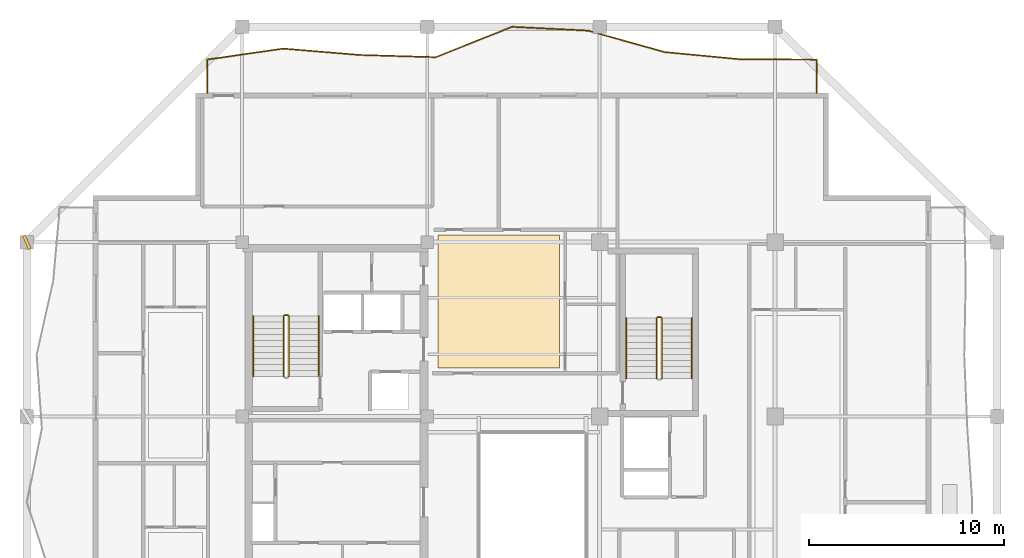
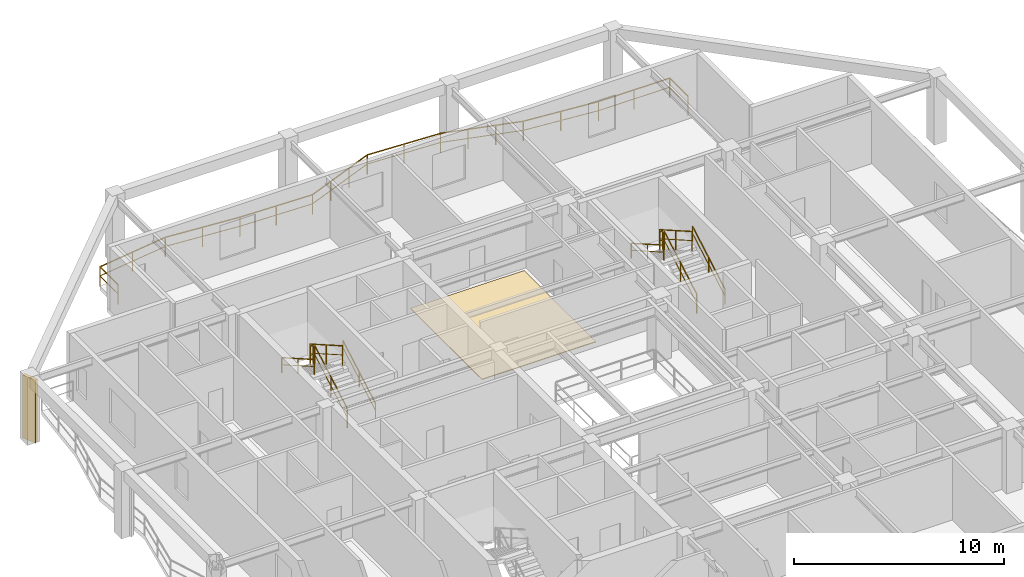
# One storey, part 10 of 11: 11 railings, 1 covering, 1 shading device.
"""IFC4 building model written with IfcOpenShell, lengths in metres."""

from ifc_helpers import new_model, si_unit, direction, frame, origin, origin_2d, place, context, subcontext, project, spatial, polyline, rectangle, outline, extrude, material, layer, layer_set, type_object, element, save


model = new_model("IFC4")

# Units and contexts
model_context = context("Model", 3, precision=1e-05, world=origin(), true_north=direction((0.0, 1.0)))
body_context = subcontext(model_context, "Body", "Model", "MODEL_VIEW")
ifc_project = project(units=[si_unit("LENGTHUNIT", "METRE"), si_unit("AREAUNIT", "SQUARE_METRE"), si_unit("VOLUMEUNIT", "CUBIC_METRE"), si_unit("PLANEANGLEUNIT", "RADIAN"), si_unit("MASSUNIT", "GRAM", prefix="KILO")], contexts=[model_context])

# Site, building, storey
site_placement = place(None, origin())
site = spatial("IfcSite", under=ifc_project, at=site_placement, CompositionType="ELEMENT")
building_placement = place(site_placement, origin())
building = spatial("IfcBuilding", under=site, at=building_placement, Name="Kundavana Baori Tower", CompositionType="ELEMENT")
storey_placement = place(building_placement, frame((0.0, 0.0, 249.199951171875)))
storey = spatial("IfcBuildingStorey", under=building, at=storey_placement, Name="L61", CompositionType="ELEMENT", Elevation=249.199951171875)

# Covering
ifc_material_1 = material(Name="Honed Kota Stone and Terrazzo Flooring", Category="masonry")
ifc_layer = layer(ifc_material_1, 0.0400390625, Name="COV-FLR-TERR-40")
ifc_layer_set = layer_set([ifc_layer], Name="Honed Kota Stone and Terrazzo Flooring")
covering_type = type_object("IfcCoveringType", Name="COV-FLR-TERR-40", PredefinedType="FLOORING", material=ifc_layer_set)
covering_placement = place(storey_placement, origin())
element("IfcCovering", 1, at=covering_placement, inside=storey, type_object=covering_type, Name="L61 Room Finished Stone Flooring 4", PredefinedType="FLOORING", context=body_context, shape_type="SweptSolid", body=[
    extrude(outline(polyline([(25.5, 35.5), (31.75, 35.5), (31.75, 42.31005859375), (25.5, 42.31005859375), (25.5, 35.5)])), origin(), (0.0, 0.0, 1.0), 0.0400390625),
])

# Railings
ifc_material_2 = material(Name="Architectural Patinated Bronze Metalwork")
railing_type_1 = type_object("IfcRailingType", Name="RL-BAL-1150", PredefinedType="BALUSTRADE", material=ifc_material_2)
railing_1_placement = place(storey_placement, frame((13.64990234375, 49.60009765625, 0.0)))
element("IfcRailing", 2, at=railing_1_placement, inside=storey, type_object=railing_type_1, Name="L61 Loggia Balcony Balustrade N", PredefinedType="BALUSTRADE", context=body_context, shape_type="SweptSolid", body=[
    extrude(rectangle(XDim=0.048095703125, YDim=0.048095703125, at=origin_2d()), frame((0.0, 0.0, 1.1259765625), z_axis=(0.0, 1.0, 0.0), x_axis=(-1.0, 0.0, 0.0)), (0.0, 0.0, 1.0), 1.719970703125),
    extrude(rectangle(XDim=0.03125, YDim=0.03125, at=origin_2d()), frame((0.0, 0.0, 0.597900390625), z_axis=(0.0, 1.0, 0.0), x_axis=(-1.0, 0.0, 0.0)), (0.0, 0.0, 1.0), 1.719970703125),
    extrude(rectangle(XDim=0.048095703125, YDim=0.048095703125, at=origin_2d()), frame((0.0, 1.719970703125, 1.1259765625), z_axis=(0.989768326395, 0.142683776459, 0.0), x_axis=(-0.142683776459, 0.989768326395, 0.0)), (0.0, 0.0, 1.0), 3.95263671875),
    extrude(rectangle(XDim=0.03125, YDim=0.03125, at=origin_2d()), frame((0.0, 1.719970703125, 0.597900390625), z_axis=(0.989768326395, 0.142683776459, 0.0), x_axis=(-0.142683776459, 0.989768326395, 0.0)), (0.0, 0.0, 1.0), 3.95263671875),
    extrude(rectangle(XDim=0.048095703125, YDim=0.048095703125, at=origin_2d()), frame((3.912109375, 2.283935546875, 1.1259765625), z_axis=(0.996549187768, -0.083004315303, 0.0), x_axis=(0.083004315303, 0.996549187768, 0.0)), (0.0, 0.0, 1.0), 3.9267578125),
    extrude(rectangle(XDim=0.03125, YDim=0.03125, at=origin_2d()), frame((3.912109375, 2.283935546875, 0.597900390625), z_axis=(0.996549187768, -0.083004315303, 0.0), x_axis=(0.083004315303, 0.996549187768, 0.0)), (0.0, 0.0, 1.0), 3.9267578125),
    extrude(rectangle(XDim=0.048095703125, YDim=0.048095703125, at=origin_2d()), frame((7.8251953125, 1.9580078125, 1.1259765625), z_axis=(0.999568454942, -0.029375225699, 0.0), x_axis=(0.029375225699, 0.999568454942, 0.0)), (0.0, 0.0, 1.0), 3.91455078125),
    extrude(rectangle(XDim=0.03125, YDim=0.03125, at=origin_2d()), frame((7.8251953125, 1.9580078125, 0.597900390625), z_axis=(0.999568454942, -0.029375225699, 0.0), x_axis=(0.029375225699, 0.999568454942, 0.0)), (0.0, 0.0, 1.0), 3.91455078125),
    extrude(rectangle(XDim=0.048095703125, YDim=0.048095703125, at=origin_2d()), frame((11.738037109375, 1.843017578125, 1.1259765625), z_axis=(0.929127075061, 0.369760569001, 0.0), x_axis=(-0.369760569001, 0.929127075061, 0.0)), (0.0, 0.0, 1.0), 4.21044921875),
    extrude(rectangle(XDim=0.03125, YDim=0.03125, at=origin_2d()), frame((11.738037109375, 1.843017578125, 0.597900390625), z_axis=(0.929127075061, 0.369760569001, 0.0), x_axis=(-0.369760569001, 0.929127075061, 0.0)), (0.0, 0.0, 1.0), 4.21044921875),
    extrude(rectangle(XDim=0.048095703125, YDim=0.048095703125, at=origin_2d()), frame((15.650146484375, 3.39990234375, 1.1259765625), z_axis=(0.998734716826, -0.050288819896, 0.0), x_axis=(0.050288819896, 0.998734716826, 0.0)), (0.0, 0.0, 1.0), 3.917724609375),
    extrude(rectangle(XDim=0.03125, YDim=0.03125, at=origin_2d()), frame((15.650146484375, 3.39990234375, 0.597900390625), z_axis=(0.998734716826, -0.050288819896, 0.0), x_axis=(0.050288819896, 0.998734716826, 0.0)), (0.0, 0.0, 1.0), 3.917724609375),
    extrude(rectangle(XDim=0.048095703125, YDim=0.048095703125, at=origin_2d()), frame((19.56298828125, 3.202880859375, 1.1259765625), z_axis=(0.962990853418, -0.26953407249, 0.0), x_axis=(0.26953407249, 0.962990853418, 0.0)), (0.0, 0.0, 1.0), 4.0625),
    extrude(rectangle(XDim=0.03125, YDim=0.03125, at=origin_2d()), frame((19.56298828125, 3.202880859375, 0.597900390625), z_axis=(0.962990853418, -0.26953407249, 0.0), x_axis=(0.26953407249, 0.962990853418, 0.0)), (0.0, 0.0, 1.0), 4.0625),
    extrude(rectangle(XDim=0.048095703125, YDim=0.048095703125, at=origin_2d()), frame((23.47509765625, 2.10791015625, 1.1259765625), z_axis=(0.995439474147, -0.095395247834, 0.0), x_axis=(0.095395247834, 0.995439474147, 0.0)), (0.0, 0.0, 1.0), 3.930908203125),
    extrude(rectangle(XDim=0.03125, YDim=0.03125, at=origin_2d()), frame((23.47509765625, 2.10791015625, 0.597900390625), z_axis=(0.995439474147, -0.095395247834, 0.0), x_axis=(0.095395247834, 0.995439474147, 0.0)), (0.0, 0.0, 1.0), 3.930908203125),
    extrude(rectangle(XDim=0.048095703125, YDim=0.048095703125, at=origin_2d()), frame((27.38818359375, 1.73291015625, 1.1259765625), z_axis=(0.999994529456, -0.003307727021, 0.0), x_axis=(0.003307727021, 0.999994529456, 0.0)), (0.0, 0.0, 1.0), 3.911865234375),
    extrude(rectangle(XDim=0.03125, YDim=0.03125, at=origin_2d()), frame((27.38818359375, 1.73291015625, 0.597900390625), z_axis=(0.999994529456, -0.003307727021, 0.0), x_axis=(0.003307727021, 0.999994529456, 0.0)), (0.0, 0.0, 1.0), 3.911865234375),
    extrude(rectangle(XDim=0.048095703125, YDim=0.048095703125, at=origin_2d()), frame((31.300048828125, 1.719970703125, 1.1259765625), z_axis=(0.0, -1.0, 0.0), x_axis=(1.0, 0.0, 0.0)), (0.0, 0.0, 1.0), 1.719970703125),
    extrude(rectangle(XDim=0.03125, YDim=0.03125, at=origin_2d()), frame((31.300048828125, 1.719970703125, 0.597900390625), z_axis=(0.0, -1.0, 0.0), x_axis=(1.0, 0.0, 0.0)), (0.0, 0.0, 1.0), 1.719970703125),
    extrude(rectangle(XDim=0.0419921875, YDim=0.0419921875, at=origin_2d()), origin(), (0.0, 0.0, 1.0), 1.101806640625),
    extrude(rectangle(XDim=0.0419921875, YDim=0.0419921875, at=origin_2d()), frame((0.0, 1.719970703125, 0.0)), (0.0, 0.0, 1.0), 1.101806640625),
    extrude(rectangle(XDim=0.0419921875, YDim=0.0419921875, at=origin_2d()), frame((1.9560546875, 2.001953125, 0.0)), (0.0, 0.0, 1.0), 1.101806640625),
    extrude(rectangle(XDim=0.0419921875, YDim=0.0419921875, at=origin_2d()), frame((3.912109375, 2.283935546875, 0.0)), (0.0, 0.0, 1.0), 1.101806640625),
    extrude(rectangle(XDim=0.0419921875, YDim=0.0419921875, at=origin_2d()), frame((5.86865234375, 2.12109375, 0.0)), (0.0, 0.0, 1.0), 1.101806640625),
    extrude(rectangle(XDim=0.0419921875, YDim=0.0419921875, at=origin_2d()), frame((7.8251953125, 1.9580078125, 0.0)), (0.0, 0.0, 1.0), 1.101806640625),
    extrude(rectangle(XDim=0.0419921875, YDim=0.0419921875, at=origin_2d()), frame((9.78173828125, 1.900390625, 0.0)), (0.0, 0.0, 1.0), 1.101806640625),
    extrude(rectangle(XDim=0.0419921875, YDim=0.0419921875, at=origin_2d()), frame((11.738037109375, 1.843017578125, 0.0)), (0.0, 0.0, 1.0), 1.101806640625),
    extrude(rectangle(XDim=0.0419921875, YDim=0.0419921875, at=origin_2d()), frame((13.0419921875, 2.362060546875, 0.0)), (0.0, 0.0, 1.0), 1.101806640625),
    extrude(rectangle(XDim=0.0419921875, YDim=0.0419921875, at=origin_2d()), frame((14.34619140625, 2.880859375, 0.0)), (0.0, 0.0, 1.0), 1.101806640625),
    extrude(rectangle(XDim=0.0419921875, YDim=0.0419921875, at=origin_2d()), frame((15.650146484375, 3.39990234375, 0.0)), (0.0, 0.0, 1.0), 1.101806640625),
    extrude(rectangle(XDim=0.0419921875, YDim=0.0419921875, at=origin_2d()), frame((17.6064453125, 3.30126953125, 0.0)), (0.0, 0.0, 1.0), 1.101806640625),
    extrude(rectangle(XDim=0.0419921875, YDim=0.0419921875, at=origin_2d()), frame((19.56298828125, 3.202880859375, 0.0)), (0.0, 0.0, 1.0), 1.101806640625),
    extrude(rectangle(XDim=0.0419921875, YDim=0.0419921875, at=origin_2d()), frame((20.866943359375, 2.837890625, 0.0)), (0.0, 0.0, 1.0), 1.101806640625),
    extrude(rectangle(XDim=0.0419921875, YDim=0.0419921875, at=origin_2d()), frame((22.171142578125, 2.472900390625, 0.0)), (0.0, 0.0, 1.0), 1.101806640625),
    extrude(rectangle(XDim=0.0419921875, YDim=0.0419921875, at=origin_2d()), frame((23.47509765625, 2.10791015625, 0.0)), (0.0, 0.0, 1.0), 1.101806640625),
    extrude(rectangle(XDim=0.0419921875, YDim=0.0419921875, at=origin_2d()), frame((25.431640625, 1.92041015625, 0.0)), (0.0, 0.0, 1.0), 1.101806640625),
    extrude(rectangle(XDim=0.0419921875, YDim=0.0419921875, at=origin_2d()), frame((27.38818359375, 1.73291015625, 0.0)), (0.0, 0.0, 1.0), 1.101806640625),
    extrude(rectangle(XDim=0.0419921875, YDim=0.0419921875, at=origin_2d()), frame((29.34423828125, 1.7265625, 0.0)), (0.0, 0.0, 1.0), 1.101806640625),
    extrude(rectangle(XDim=0.0419921875, YDim=0.0419921875, at=origin_2d()), frame((31.300048828125, 1.719970703125, 0.0)), (0.0, 0.0, 1.0), 1.101806640625),
    extrude(rectangle(XDim=0.0419921875, YDim=0.0419921875, at=origin_2d()), frame((31.300048828125, 0.0, 0.0)), (0.0, 0.0, 1.0), 1.101806640625),
])
ifc_material_3 = material(Name="Architectural Patinated Bronze Metalwork")
railing_type_2 = type_object("IfcRailingType", Name="RL-GRD-1150", PredefinedType="GUARDRAIL", material=ifc_material_3)
railing_2_placement = place(storey_placement, frame((17.840087890625, 35.050048828125, 0.17724609375)))
element("IfcRailing", 3, at=railing_2_placement, inside=storey, type_object=railing_type_2, Name="L61 ST2 stair guard 1", PredefinedType="GUARDRAIL", context=body_context, shape_type="SweptSolid", body=[
    extrude(rectangle(XDim=0.048095703125, YDim=0.048095703125, at=origin_2d()), frame((0.0, 0.0, 1.1259765625), z_axis=(0.0, 0.868079009454, 0.496426060301), x_axis=(-1.0, 0.0, 0.0)), (0.0, 0.0, 1.0), 3.571044921875),
    extrude(rectangle(XDim=0.03125, YDim=0.03125, at=origin_2d()), frame((0.0, 0.0, 0.597900390625), z_axis=(0.0, 0.868079009454, 0.496426060301), x_axis=(-1.0, 0.0, 0.0)), (0.0, 0.0, 1.0), 3.571044921875),
    extrude(rectangle(XDim=0.0419921875, YDim=0.0419921875, at=origin_2d()), origin(), (0.0, 0.0, 1.0), 1.101806640625),
    extrude(rectangle(XDim=0.0419921875, YDim=0.0419921875, at=origin_2d()), frame((0.0, 1.5498046875, 0.88623046875)), (0.0, 0.0, 1.0), 1.101806640625),
    extrude(rectangle(XDim=0.0419921875, YDim=0.0419921875, at=origin_2d()), frame((0.0, 3.099853515625, 1.772705078125)), (0.0, 0.0, 1.0), 1.101806640625),
])
railing_3_placement = place(storey_placement, frame((17.7900390625, 38.199951171875, 1.949951171875)))
element("IfcRailing", 4, at=railing_3_placement, inside=storey, type_object=railing_type_2, Name="L61 ST2 stair guard 2", PredefinedType="GUARDRAIL", context=body_context, shape_type="SweptSolid", body=[
    extrude(rectangle(XDim=0.048095703125, YDim=0.048095703125, at=origin_2d()), frame((0.0, 0.0, 1.1259765625), z_axis=(-1.0, 0.0, 0.0), x_axis=(0.0, -1.0, 0.0)), (0.0, 0.0, 1.0), 0.16015625),
    extrude(rectangle(XDim=0.03125, YDim=0.03125, at=origin_2d()), frame((0.0, 0.0, 0.597900390625), z_axis=(-1.0, 0.0, 0.0), x_axis=(0.0, -1.0, 0.0)), (0.0, 0.0, 1.0), 0.16015625),
    extrude(rectangle(XDim=0.0419921875, YDim=0.0419921875, at=origin_2d()), origin(), (0.0, 0.0, 1.0), 1.101806640625),
    extrude(rectangle(XDim=0.0419921875, YDim=0.0419921875, at=origin_2d()), frame((-0.16015625, 0.0, 0.0)), (0.0, 0.0, 1.0), 1.101806640625),
])
railing_4_placement = place(storey_placement, frame((17.580078125, 38.14990234375, 2.12744140625)))
element("IfcRailing", 5, at=railing_4_placement, inside=storey, type_object=railing_type_2, Name="L61 ST2 stair guard 3", PredefinedType="GUARDRAIL", context=body_context, shape_type="SweptSolid", body=[
    extrude(rectangle(XDim=0.048095703125, YDim=0.048095703125, at=origin_2d()), frame((0.0, 0.0, 1.1259765625), z_axis=(0.0, -0.868079009454, 0.496426060301), x_axis=(1.0, 0.0, 0.0)), (0.0, 0.0, 1.0), 3.571044921875),
    extrude(rectangle(XDim=0.03125, YDim=0.03125, at=origin_2d()), frame((0.0, 0.0, 0.597900390625), z_axis=(0.0, -0.868079009454, 0.496426060301), x_axis=(1.0, 0.0, 0.0)), (0.0, 0.0, 1.0), 3.571044921875),
    extrude(rectangle(XDim=0.0419921875, YDim=0.0419921875, at=origin_2d()), origin(), (0.0, 0.0, 1.0), 1.101806640625),
    extrude(rectangle(XDim=0.0419921875, YDim=0.0419921875, at=origin_2d()), frame((0.0, -1.5498046875, 0.88623046875)), (0.0, 0.0, 1.0), 1.101806640625),
    extrude(rectangle(XDim=0.0419921875, YDim=0.0419921875, at=origin_2d()), frame((0.0, -3.099853515625, 1.772705078125)), (0.0, 0.0, 1.0), 1.101806640625),
])
railing_5_placement = place(storey_placement, frame((36.97998046875, 34.949951171875, 0.17724609375)))
element("IfcRailing", 6, at=railing_5_placement, inside=storey, type_object=railing_type_2, Name="L61 ST3 stair guard 1", PredefinedType="GUARDRAIL", context=body_context, shape_type="SweptSolid", body=[
    extrude(rectangle(XDim=0.048095703125, YDim=0.048095703125, at=origin_2d()), frame((0.0, 0.0, 1.1259765625), z_axis=(0.0, 0.868095856688, 0.496396599103), x_axis=(-1.0, 0.0, 0.0)), (0.0, 0.0, 1.0), 3.571044921875),
    extrude(rectangle(XDim=0.03125, YDim=0.03125, at=origin_2d()), frame((0.0, 0.0, 0.597900390625), z_axis=(0.0, 0.868095856688, 0.496396599103), x_axis=(-1.0, 0.0, 0.0)), (0.0, 0.0, 1.0), 3.571044921875),
    extrude(rectangle(XDim=0.0419921875, YDim=0.0419921875, at=origin_2d()), origin(), (0.0, 0.0, 1.0), 1.101806640625),
    extrude(rectangle(XDim=0.0419921875, YDim=0.0419921875, at=origin_2d()), frame((0.0, 1.550048828125, 0.88623046875)), (0.0, 0.0, 1.0), 1.101806640625),
    extrude(rectangle(XDim=0.0419921875, YDim=0.0419921875, at=origin_2d()), frame((0.0, 3.10009765625, 1.772705078125)), (0.0, 0.0, 1.0), 1.101806640625),
])
railing_6_placement = place(storey_placement, frame((36.929931640625, 38.10009765625, 1.949951171875)))
element("IfcRailing", 7, at=railing_6_placement, inside=storey, type_object=railing_type_2, Name="L61 ST3 stair guard 2", PredefinedType="GUARDRAIL", context=body_context, shape_type="SweptSolid", body=[
    extrude(rectangle(XDim=0.048095703125, YDim=0.048095703125, at=origin_2d()), frame((0.0, 0.0, 1.1259765625), z_axis=(-1.0, 0.0, 0.0), x_axis=(0.0, -1.0, 0.0)), (0.0, 0.0, 1.0), 0.159912109375),
    extrude(rectangle(XDim=0.03125, YDim=0.03125, at=origin_2d()), frame((0.0, 0.0, 0.597900390625), z_axis=(-1.0, 0.0, 0.0), x_axis=(0.0, -1.0, 0.0)), (0.0, 0.0, 1.0), 0.159912109375),
    extrude(rectangle(XDim=0.0419921875, YDim=0.0419921875, at=origin_2d()), origin(), (0.0, 0.0, 1.0), 1.101806640625),
    extrude(rectangle(XDim=0.0419921875, YDim=0.0419921875, at=origin_2d()), frame((-0.159912109375, 0.0, 0.0)), (0.0, 0.0, 1.0), 1.101806640625),
])
railing_7_placement = place(storey_placement, frame((36.719970703125, 38.050048828125, 2.12744140625)))
element("IfcRailing", 8, at=railing_7_placement, inside=storey, type_object=railing_type_2, Name="L61 ST3 stair guard 3", PredefinedType="GUARDRAIL", context=body_context, shape_type="SweptSolid", body=[
    extrude(rectangle(XDim=0.048095703125, YDim=0.048095703125, at=origin_2d()), frame((0.0, 0.0, 1.1259765625), z_axis=(0.0, -0.868095856688, 0.496396599103), x_axis=(1.0, 0.0, 0.0)), (0.0, 0.0, 1.0), 3.571044921875),
    extrude(rectangle(XDim=0.03125, YDim=0.03125, at=origin_2d()), frame((0.0, 0.0, 0.597900390625), z_axis=(0.0, -0.868095856688, 0.496396599103), x_axis=(1.0, 0.0, 0.0)), (0.0, 0.0, 1.0), 3.571044921875),
    extrude(rectangle(XDim=0.0419921875, YDim=0.0419921875, at=origin_2d()), origin(), (0.0, 0.0, 1.0), 1.101806640625),
    extrude(rectangle(XDim=0.0419921875, YDim=0.0419921875, at=origin_2d()), frame((0.0, -1.550048828125, 0.88623046875)), (0.0, 0.0, 1.0), 1.101806640625),
    extrude(rectangle(XDim=0.0419921875, YDim=0.0419921875, at=origin_2d()), frame((0.0, -3.10009765625, 1.772705078125)), (0.0, 0.0, 1.0), 1.101806640625),
])
ifc_material_4 = material(Name="Architectural Patinated Bronze Metalwork")
railing_type_3 = type_object("IfcRailingType", Name="RL-HND-920", PredefinedType="HANDRAIL", material=ifc_material_4)
railing_8_placement = place(storey_placement, frame((19.389892578125, 35.050048828125, 0.17724609375)))
element("IfcRailing", 9, at=railing_8_placement, inside=storey, type_object=railing_type_3, Name="L61 ST2 stair handrail 1", PredefinedType="HANDRAIL", context=body_context, shape_type="SweptSolid", body=[
    extrude(rectangle(XDim=0.048095703125, YDim=0.048095703125, at=origin_2d()), frame((0.0, 0.0, 0.8759765625), z_axis=(0.0, 0.868079009454, 0.496426060301), x_axis=(-1.0, 0.0, 0.0)), (0.0, 0.0, 1.0), 3.571044921875),
    extrude(rectangle(XDim=0.03125, YDim=0.03125, at=origin_2d()), frame((0.0, 0.0, 0.468017578125), z_axis=(0.0, 0.868079009454, 0.496426060301), x_axis=(-1.0, 0.0, 0.0)), (0.0, 0.0, 1.0), 3.571044921875),
    extrude(rectangle(XDim=0.0419921875, YDim=0.0419921875, at=origin_2d()), origin(), (0.0, 0.0, 1.0), 0.851806640625),
    extrude(rectangle(XDim=0.0419921875, YDim=0.0419921875, at=origin_2d()), frame((0.0, 1.5498046875, 0.88623046875)), (0.0, 0.0, 1.0), 0.851806640625),
    extrude(rectangle(XDim=0.0419921875, YDim=0.0419921875, at=origin_2d()), frame((0.0, 3.099853515625, 1.772705078125)), (0.0, 0.0, 1.0), 0.851806640625),
])
railing_9_placement = place(storey_placement, frame((16.030029296875, 38.14990234375, 2.12744140625)))
element("IfcRailing", 10, at=railing_9_placement, inside=storey, type_object=railing_type_3, Name="L61 ST2 stair handrail 2", PredefinedType="HANDRAIL", context=body_context, shape_type="SweptSolid", body=[
    extrude(rectangle(XDim=0.048095703125, YDim=0.048095703125, at=origin_2d()), frame((0.0, 0.0, 0.8759765625), z_axis=(0.0, -0.868079009454, 0.496426060301), x_axis=(1.0, 0.0, 0.0)), (0.0, 0.0, 1.0), 3.571044921875),
    extrude(rectangle(XDim=0.03125, YDim=0.03125, at=origin_2d()), frame((0.0, 0.0, 0.468017578125), z_axis=(0.0, -0.868079009454, 0.496426060301), x_axis=(1.0, 0.0, 0.0)), (0.0, 0.0, 1.0), 3.571044921875),
    extrude(rectangle(XDim=0.0419921875, YDim=0.0419921875, at=origin_2d()), origin(), (0.0, 0.0, 1.0), 0.851806640625),
    extrude(rectangle(XDim=0.0419921875, YDim=0.0419921875, at=origin_2d()), frame((0.0, -1.5498046875, 0.88623046875)), (0.0, 0.0, 1.0), 0.851806640625),
    extrude(rectangle(XDim=0.0419921875, YDim=0.0419921875, at=origin_2d()), frame((0.0, -3.099853515625, 1.772705078125)), (0.0, 0.0, 1.0), 0.851806640625),
])
railing_10_placement = place(storey_placement, frame((38.530029296875, 34.949951171875, 0.17724609375)))
element("IfcRailing", 11, at=railing_10_placement, inside=storey, type_object=railing_type_3, Name="L61 ST3 stair handrail 1", PredefinedType="HANDRAIL", context=body_context, shape_type="SweptSolid", body=[
    extrude(rectangle(XDim=0.048095703125, YDim=0.048095703125, at=origin_2d()), frame((0.0, 0.0, 0.8759765625), z_axis=(0.0, 0.868095856688, 0.496396599103), x_axis=(-1.0, 0.0, 0.0)), (0.0, 0.0, 1.0), 3.571044921875),
    extrude(rectangle(XDim=0.03125, YDim=0.03125, at=origin_2d()), frame((0.0, 0.0, 0.468017578125), z_axis=(0.0, 0.868095856688, 0.496396599103), x_axis=(-1.0, 0.0, 0.0)), (0.0, 0.0, 1.0), 3.571044921875),
    extrude(rectangle(XDim=0.0419921875, YDim=0.0419921875, at=origin_2d()), origin(), (0.0, 0.0, 1.0), 0.851806640625),
    extrude(rectangle(XDim=0.0419921875, YDim=0.0419921875, at=origin_2d()), frame((0.0, 1.550048828125, 0.88623046875)), (0.0, 0.0, 1.0), 0.851806640625),
    extrude(rectangle(XDim=0.0419921875, YDim=0.0419921875, at=origin_2d()), frame((0.0, 3.10009765625, 1.772705078125)), (0.0, 0.0, 1.0), 0.851806640625),
])
railing_11_placement = place(storey_placement, frame((35.169921875, 38.050048828125, 2.12744140625)))
element("IfcRailing", 12, at=railing_11_placement, inside=storey, type_object=railing_type_3, Name="L61 ST3 stair handrail 2", PredefinedType="HANDRAIL", context=body_context, shape_type="SweptSolid", body=[
    extrude(rectangle(XDim=0.048095703125, YDim=0.048095703125, at=origin_2d()), frame((0.0, 0.0, 0.8759765625), z_axis=(0.0, -0.868095856688, 0.496396599103), x_axis=(1.0, 0.0, 0.0)), (0.0, 0.0, 1.0), 3.571044921875),
    extrude(rectangle(XDim=0.03125, YDim=0.03125, at=origin_2d()), frame((0.0, 0.0, 0.468017578125), z_axis=(0.0, -0.868095856688, 0.496396599103), x_axis=(1.0, 0.0, 0.0)), (0.0, 0.0, 1.0), 3.571044921875),
    extrude(rectangle(XDim=0.0419921875, YDim=0.0419921875, at=origin_2d()), origin(), (0.0, 0.0, 1.0), 0.851806640625),
    extrude(rectangle(XDim=0.0419921875, YDim=0.0419921875, at=origin_2d()), frame((0.0, -1.550048828125, 0.88623046875)), (0.0, 0.0, 1.0), 0.851806640625),
    extrude(rectangle(XDim=0.0419921875, YDim=0.0419921875, at=origin_2d()), frame((0.0, -3.10009765625, 1.772705078125)), (0.0, 0.0, 1.0), 0.851806640625),
])

# Shading device
ifc_material_5 = material(Name="Red-Buff Dholpur Sandstone Cladding on Concrete C40/50", Category="masonry")
shading_device_type = type_object("IfcShadingDeviceType", Name="SHD-FIN-750", PredefinedType="JALOUSIE", material=ifc_material_5)
shading_device_placement = place(storey_placement, frame((4.39990234375, 41.949951171875, 0.0), z_axis=(0.0, 0.0, 1.0), x_axis=(0.919135339255, 0.393941909591, 0.0)))
element("IfcShadingDevice", 13, at=shading_device_placement, inside=storey, type_object=shading_device_type, Name="L61 Sweeping Dholpur Sandstone Facade Fin 8", PredefinedType="JALOUSIE", context=body_context, shape_type="SweptSolid", body=[
    extrude(rectangle(XDim=0.159912109375, YDim=0.75, at=origin_2d()), origin(), (0.0, 0.0, 1.0), 3.659912109375),
])

save(model, "model.ifc")
